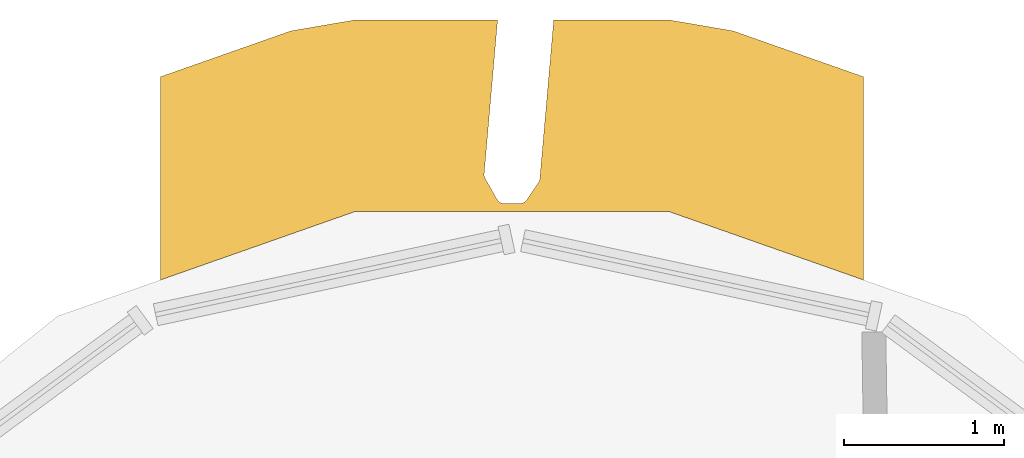
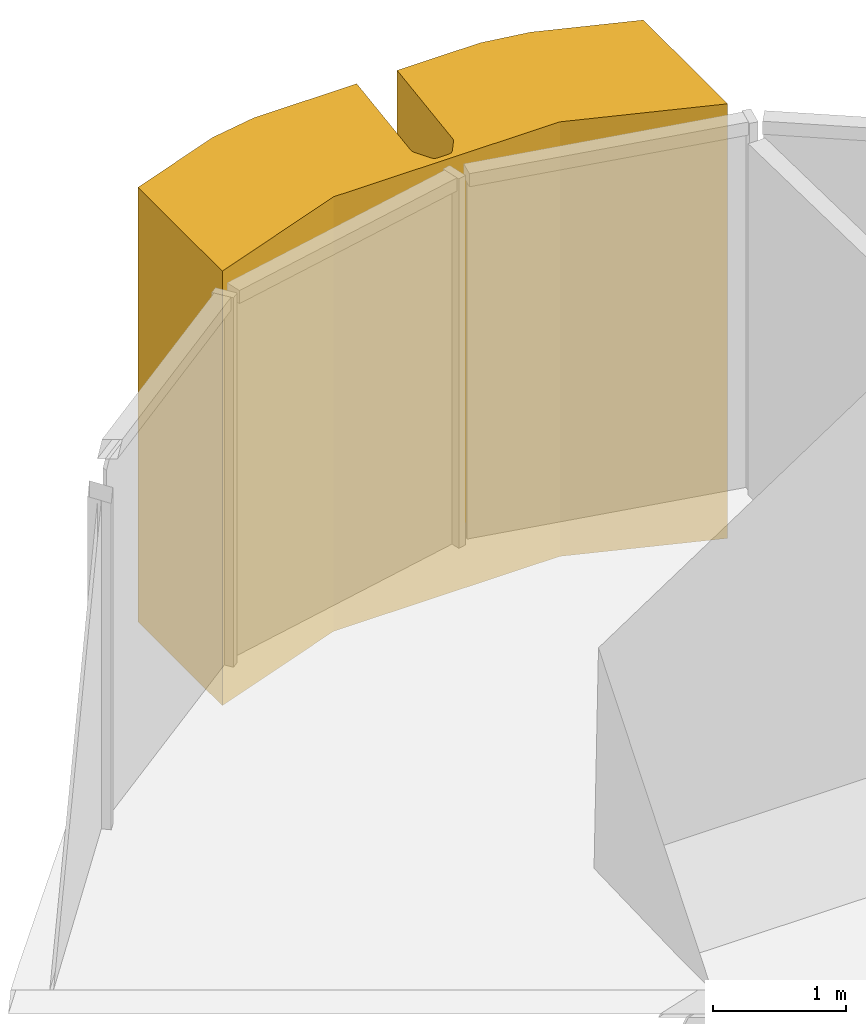
# One storey, part 15 of 16: 1 covering.
"""IFC4 building model written with IfcOpenShell, lengths in metres."""

from ifc_helpers import new_model, si_unit, direction, frame, origin, place, context, subcontext, project, spatial, polyline, outline, extrude, material, layer, layer_set, type_object, element, save


model = new_model("IFC4")

# Units and contexts
model_context = context("Model", 3, precision=1e-05, world=origin(), true_north=direction((0.0, 1.0)))
body_context = subcontext(model_context, "Body", "Model", "MODEL_VIEW")
ifc_project = project(units=[si_unit("LENGTHUNIT", "METRE"), si_unit("AREAUNIT", "SQUARE_METRE"), si_unit("VOLUMEUNIT", "CUBIC_METRE"), si_unit("PLANEANGLEUNIT", "RADIAN"), si_unit("MASSUNIT", "GRAM", prefix="KILO")], contexts=[model_context])

# Site, building, storey
site_placement = place(None, origin())
site = spatial("IfcSite", under=ifc_project, at=site_placement, CompositionType="ELEMENT")
building_placement = place(site_placement, origin())
building = spatial("IfcBuilding", under=site, at=building_placement, Name="Sierra Prisma Convention Tower", CompositionType="ELEMENT")
storey_placement = place(building_placement, frame((0.0, 0.0, 165.800048828125)))
storey = spatial("IfcBuildingStorey", under=building, at=storey_placement, Name="L36", CompositionType="ELEMENT", Elevation=165.800048828125)

# Covering
ifc_material = material(Name="Aluminium composite bronze anodised", Category="aluminium")
ifc_layer = layer(ifc_material, 1.199951171875)
ifc_layer_set = layer_set([ifc_layer], Name="Bronze corner pier")
covering_type = type_object("IfcCoveringType", Name="Bronze corner pier", PredefinedType="CLADDING", material=ifc_layer_set)
covering_placement = place(storey_placement, frame((0.0, 0.0, -0.60009765625)))
element("IfcCovering", 1, at=covering_placement, inside=storey, type_object=covering_type, Name="Corner pier N L36.1", PredefinedType="CLADDING", context=body_context, shape_type="SweptSolid", body=[
    extrude(outline(polyline([(-0.17333984375, 33.67529296875), (-0.172119140625, 33.67041015625), (-0.170166015625, 33.665771484375), (-0.16796875, 33.661376953125), (-0.093505859375, 33.530517578125), (-0.0908203125, 33.5263671875), (-0.087890625, 33.522705078125), (-0.084716796875, 33.51904296875), (-0.0810546875, 33.515869140625), (-0.0771484375, 33.51318359375), (-0.072998046875, 33.5107421875), (-0.068603515625, 33.5087890625), (-0.064208984375, 33.507080078125), (-0.0595703125, 33.506103515625), (-0.0546875, 33.50537109375), (-0.050048828125, 33.505126953125), (0.050048828125, 33.505126953125), (0.054931640625, 33.50537109375), (0.059814453125, 33.506103515625), (0.064453125, 33.507080078125), (0.06884765625, 33.5087890625), (0.0732421875, 33.510986328125), (0.077392578125, 33.513427734375), (0.081298828125, 33.516357421875), (0.085205078125, 33.51953125), (0.08837890625, 33.523193359375), (0.09130859375, 33.52685546875), (0.165771484375, 33.635986328125), (0.16845703125, 33.640380859375), (0.170654296875, 33.64501953125), (0.17236328125, 33.64990234375), (0.173583984375, 33.65478515625), (0.17431640625, 33.659912109375), (0.26123046875, 34.65380859375), (0.985107421875, 34.65380859375), (1.383056640625, 34.585693359375), (2.199951171875, 34.298583984375), (2.199951171875, 33.026611328125), (0.985107421875, 33.45361328125), (-0.985107421875, 33.45361328125), (-2.199951171875, 33.026611328125), (-2.199951171875, 34.298583984375), (-1.383056640625, 34.585693359375), (-0.985107421875, 34.65380859375), (-0.090087890625, 34.65380859375), (-0.17431640625, 33.6904296875), (-0.174560546875, 33.685302734375), (-0.17431640625, 33.680419921875), (-0.17333984375, 33.67529296875)])), origin(), (0.0, 0.0, 1.0), 4.0),
])

save(model, "model.ifc")
